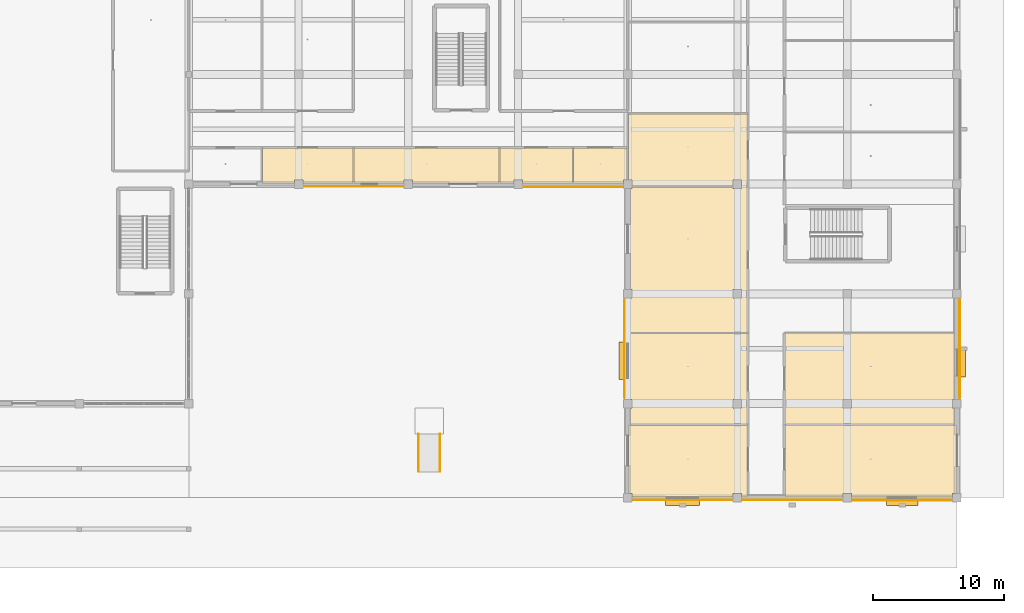
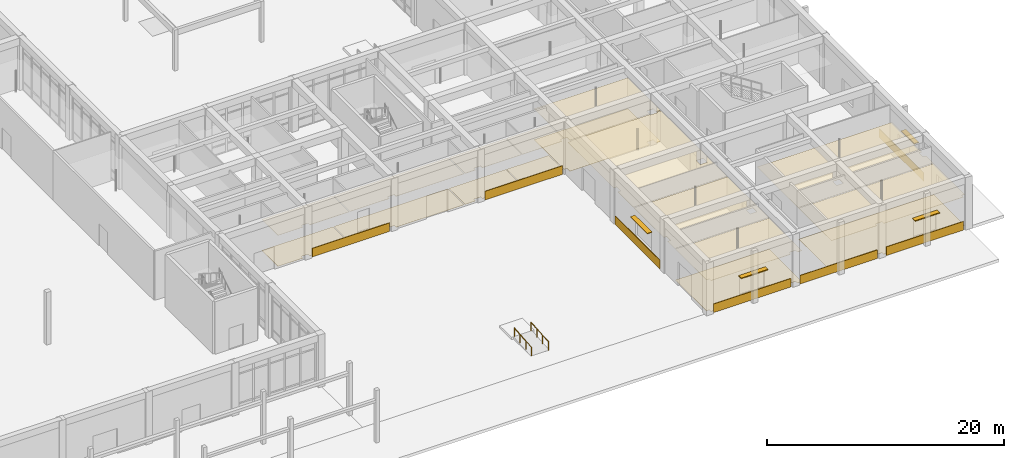
# One storey, part 159 of 167: 24 coverings, 4 shading devices, 2 railings.
"""IFC4 building model written with IfcOpenShell, lengths in metres."""

from ifc_helpers import new_model, si_unit, direction, frame, origin, origin_2d, place, context, subcontext, project, spatial, polyline, rectangle, circle, outline, extrude, material, layer, layer_set, type_object, element, save


model = new_model("IFC4")

# Units and contexts
model_context = context("Model", 3, precision=1e-05, world=origin(), true_north=direction((0.0, 1.0)))
body_context = subcontext(model_context, "Body", "Model", "MODEL_VIEW")
ifc_project = project(units=[si_unit("LENGTHUNIT", "METRE"), si_unit("AREAUNIT", "SQUARE_METRE"), si_unit("VOLUMEUNIT", "CUBIC_METRE"), si_unit("PLANEANGLEUNIT", "RADIAN"), si_unit("MASSUNIT", "GRAM", prefix="KILO")], contexts=[model_context])

# Site, building, storey
site_placement = place(None, origin())
site = spatial("IfcSite", under=ifc_project, at=site_placement, CompositionType="ELEMENT")
building_placement = place(site_placement, origin())
building = spatial("IfcBuilding", under=site, at=building_placement, Name="Varncliffe General Hospital", CompositionType="ELEMENT")
storey_placement = place(building_placement, origin())
storey = spatial("IfcBuildingStorey", under=building, at=storey_placement, Name="L00", CompositionType="ELEMENT", Elevation=0.0)

# Coverings
ifc_material_1 = material(Name="Hygienic antimicrobial acoustic suspended ceiling tile", Category="gypsum")
ifc_layer_1 = layer(ifc_material_1, 0.02490234375)
ifc_layer_set_1 = layer_set([ifc_layer_1], Name="Hygienic antimicrobial acoustic suspended ceiling tile")
covering_type_1 = type_object("IfcCoveringType", Name="Antimicrobial Acoustic Suspended Ceiling CLG44", PredefinedType="CEILING", material=ifc_layer_set_1)
covering_1_placement = place(storey_placement, frame((0.0, 0.0, 3.175048828125)))
element("IfcCovering", 1, at=covering_1_placement, inside=storey, type_object=covering_type_1, Name="L00 Outpatient Consultation and Exam Clinic 88 Suspended Ceiling", PredefinedType="CEILING", context=body_context, shape_type="SweptSolid", body=[
    extrude(outline(polyline([(160.360107421875, 5.56005859375), (160.360107421875, 0.0400390625), (159.925048828125, 0.0400390625), (159.925048828125, 0.324951171875), (159.27490234375, 0.324951171875), (159.27490234375, 0.0400390625), (151.52490234375, 0.0400390625), (151.52490234375, 0.324951171875), (151.239990234375, 0.324951171875), (151.239990234375, 5.56005859375), (160.360107421875, 5.56005859375)])), origin(), (0.0, 0.0, 1.0), 0.02490234375),
])
covering_2_placement = place(storey_placement, frame((0.0, 0.0, 3.175048828125)))
element("IfcCovering", 2, at=covering_2_placement, inside=storey, type_object=covering_type_1, Name="L00 Orthopaedic Fracture Cast Clinic 89 Suspended Ceiling", PredefinedType="CEILING", context=body_context, shape_type="SweptSolid", body=[
    extrude(outline(polyline([(151.239990234375, 12.56005859375), (160.360107421875, 12.56005859375), (160.360107421875, 5.639892578125), (151.239990234375, 5.639892578125), (151.239990234375, 6.875), (151.52490234375, 6.875), (151.52490234375, 7.52490234375), (151.239990234375, 7.52490234375), (151.239990234375, 12.56005859375)]), holes=[polyline([(159.925048828125, 6.875), (159.925048828125, 7.52490234375), (159.27490234375, 7.52490234375), (159.27490234375, 6.875), (159.925048828125, 6.875)])]), origin(), (0.0, 0.0, 1.0), 0.02490234375),
])
covering_3_placement = place(storey_placement, frame((0.0, 0.0, 3.175048828125)))
element("IfcCovering", 3, at=covering_3_placement, inside=storey, type_object=covering_type_1, Name="L00 Physical Rehabilitation Therapy Gym 90 Suspended Ceiling", PredefinedType="CEILING", context=body_context, shape_type="SweptSolid", body=[
    extrude(outline(polyline([(160.360107421875, 12.639892578125), (151.239990234375, 12.639892578125), (151.239990234375, 15.27490234375), (151.52490234375, 15.27490234375), (151.52490234375, 15.925048828125), (151.239990234375, 15.925048828125), (151.239990234375, 23.675048828125), (151.52490234375, 23.675048828125), (151.52490234375, 23.760009765625), (159.27490234375, 23.760009765625), (159.27490234375, 23.675048828125), (159.925048828125, 23.675048828125), (159.925048828125, 23.760009765625), (160.360107421875, 23.760009765625), (160.360107421875, 12.639892578125)]), holes=[polyline([(159.925048828125, 15.27490234375), (159.925048828125, 15.925048828125), (159.27490234375, 15.925048828125), (159.27490234375, 15.27490234375), (159.925048828125, 15.27490234375)])]), origin(), (0.0, 0.0, 1.0), 0.02490234375),
])
covering_4_placement = place(storey_placement, frame((0.0, 0.0, 3.175048828125)))
element("IfcCovering", 4, at=covering_4_placement, inside=storey, type_object=covering_type_1, Name="L00 Outpatient Consultation and Exam Clinic 91 Suspended Ceiling", PredefinedType="CEILING", context=body_context, shape_type="SweptSolid", body=[
    extrude(outline(polyline([(160.360107421875, 29.360107421875), (160.360107421875, 23.840087890625), (159.925048828125, 23.840087890625), (159.925048828125, 24.324951171875), (159.27490234375, 24.324951171875), (159.27490234375, 23.840087890625), (151.52490234375, 23.840087890625), (151.52490234375, 24.324951171875), (151.239990234375, 24.324951171875), (151.239990234375, 29.360107421875), (160.360107421875, 29.360107421875)])), origin(), (0.0, 0.0, 1.0), 0.02490234375),
])
covering_5_placement = place(storey_placement, frame((0.0, 0.0, 3.175048828125)))
element("IfcCovering", 5, at=covering_5_placement, inside=storey, type_object=covering_type_1, Name="L00 Outpatient Consultation and Exam Clinic 99 Suspended Ceiling", PredefinedType="CEILING", context=body_context, shape_type="SweptSolid", body=[
    extrude(outline(polyline([(163.239990234375, 5.56005859375), (176.360107421875, 5.56005859375), (176.360107421875, 0.324951171875), (176.074951171875, 0.324951171875), (176.074951171875, 0.0400390625), (168.324951171875, 0.0400390625), (168.324951171875, 0.324951171875), (167.675048828125, 0.324951171875), (167.675048828125, 0.0400390625), (163.239990234375, 0.0400390625), (163.239990234375, 5.56005859375)])), origin(), (0.0, 0.0, 1.0), 0.02490234375),
])
covering_6_placement = place(storey_placement, frame((0.0, 0.0, 3.175048828125)))
element("IfcCovering", 6, at=covering_6_placement, inside=storey, type_object=covering_type_1, Name="L00 Orthopaedic Fracture Cast Clinic 100 Suspended Ceiling", PredefinedType="CEILING", context=body_context, shape_type="SweptSolid", body=[
    extrude(outline(polyline([(176.360107421875, 5.639892578125), (163.239990234375, 5.639892578125), (163.239990234375, 12.56005859375), (176.360107421875, 12.56005859375), (176.360107421875, 7.52490234375), (176.074951171875, 7.52490234375), (176.074951171875, 6.875), (176.360107421875, 6.875), (176.360107421875, 5.639892578125)]), holes=[polyline([(168.324951171875, 6.875), (168.324951171875, 7.52490234375), (167.675048828125, 7.52490234375), (167.675048828125, 6.875), (168.324951171875, 6.875)])]), origin(), (0.0, 0.0, 1.0), 0.02490234375),
])
covering_7_placement = place(storey_placement, frame((0.0, 0.0, 3.175048828125)))
element("IfcCovering", 7, at=covering_7_placement, inside=storey, type_object=covering_type_1, Name="L00 Orthopaedic Fracture Cast Clinic 110 Suspended Ceiling", PredefinedType="CEILING", context=body_context, shape_type="SweptSolid", body=[
    extrude(outline(polyline([(123.239990234375, 24.0400390625), (123.239990234375, 26.760009765625), (130.159912109375, 26.760009765625), (130.159912109375, 24.0400390625), (126.324951171875, 24.0400390625), (126.324951171875, 24.324951171875), (125.675048828125, 24.324951171875), (125.675048828125, 24.0400390625), (123.239990234375, 24.0400390625)])), origin(), (0.0, 0.0, 1.0), 0.02490234375),
])
covering_8_placement = place(storey_placement, frame((0.0, 0.0, 3.175048828125)))
element("IfcCovering", 8, at=covering_8_placement, inside=storey, type_object=covering_type_1, Name="L00 Physical Rehabilitation Therapy Gym 111 Suspended Ceiling", PredefinedType="CEILING", context=body_context, shape_type="SweptSolid", body=[
    extrude(outline(polyline([(130.239990234375, 24.0400390625), (130.239990234375, 26.760009765625), (141.360107421875, 26.760009765625), (141.360107421875, 24.0400390625), (134.72509765625, 24.0400390625), (134.72509765625, 24.324951171875), (134.074951171875, 24.324951171875), (134.074951171875, 24.0400390625), (130.239990234375, 24.0400390625)])), origin(), (0.0, 0.0, 1.0), 0.02490234375),
])
covering_9_placement = place(storey_placement, frame((0.0, 0.0, 3.175048828125)))
element("IfcCovering", 9, at=covering_9_placement, inside=storey, type_object=covering_type_1, Name="L00 Outpatient Consultation and Exam Clinic 112 Suspended Ceiling", PredefinedType="CEILING", context=body_context, shape_type="SweptSolid", body=[
    extrude(outline(polyline([(141.43994140625, 24.0400390625), (141.43994140625, 26.760009765625), (146.9599609375, 26.760009765625), (146.9599609375, 24.0400390625), (143.125, 24.0400390625), (143.125, 24.324951171875), (142.47509765625, 24.324951171875), (142.47509765625, 24.0400390625), (141.43994140625, 24.0400390625)])), origin(), (0.0, 0.0, 1.0), 0.02490234375),
])
covering_10_placement = place(storey_placement, frame((0.0, 0.0, 3.175048828125)))
element("IfcCovering", 10, at=covering_10_placement, inside=storey, type_object=covering_type_1, Name="L00 Orthopaedic Fracture Cast Clinic 113 Suspended Ceiling", PredefinedType="CEILING", context=body_context, shape_type="SweptSolid", body=[
    extrude(outline(polyline([(147.0400390625, 24.0400390625), (147.0400390625, 26.760009765625), (151.159912109375, 26.760009765625), (151.159912109375, 24.324951171875), (150.875, 24.324951171875), (150.875, 24.0400390625), (147.0400390625, 24.0400390625)])), origin(), (0.0, 0.0, 1.0), 0.02490234375),
])

# Shading devices
ifc_material_2 = material(Name="Dark bronze extruded aluminium solar jalousie louvres", Category="aluminium")
ifc_layer_2 = layer(ifc_material_2, 0.080078125)
ifc_layer_set_2 = layer_set([ifc_layer_2], Name="Dark bronze extruded aluminium solar jalousie louvres")
shading_device_type = type_object("IfcShadingDeviceType", Name="Bronze Solar Jalousie Louvre Hood SHD18", PredefinedType="JALOUSIE", material=ifc_layer_set_2)
shading_device_1_placement = place(storey_placement, frame((176.81494140625, 10.33203125, 2.85986328125), z_axis=(0.0, 0.0, 1.0), x_axis=(0.0, -1.0, 0.0)))
element("IfcShadingDevice", 11, at=shading_device_1_placement, inside=storey, type_object=shading_device_type, Name="L00 Bronze Window Sun-Shading Louvre 7", PredefinedType="JALOUSIE", context=body_context, shape_type="SweptSolid", body=[
    extrude(rectangle(XDim=2.199951171875, YDim=0.449951171875, at=origin_2d()), origin(), (0.0, 0.0, 1.0), 0.080078125),
])
shading_device_2_placement = place(storey_placement, frame((172.199951171875, -0.389892578125, 2.85986328125), z_axis=(0.0, 0.0, 1.0), x_axis=(-1.0, 0.0, 0.0)))
element("IfcShadingDevice", 12, at=shading_device_2_placement, inside=storey, type_object=shading_device_type, Name="L00 Bronze Window Sun-Shading Louvre 8", PredefinedType="JALOUSIE", context=body_context, shape_type="SweptSolid", body=[
    extrude(rectangle(XDim=2.39990234375, YDim=0.449951171875, at=origin_2d()), origin(), (0.0, 0.0, 1.0), 0.080078125),
])
shading_device_3_placement = place(storey_placement, frame((155.39990234375, -0.3701171875, 2.85986328125), z_axis=(0.0, 0.0, 1.0), x_axis=(-1.0, 0.0, 0.0)))
element("IfcShadingDevice", 13, at=shading_device_3_placement, inside=storey, type_object=shading_device_type, Name="L00 Bronze Window Sun-Shading Louvre 9", PredefinedType="JALOUSIE", context=body_context, shape_type="SweptSolid", body=[
    extrude(rectangle(XDim=2.60009765625, YDim=0.449951171875, at=origin_2d()), origin(), (0.0, 0.0, 1.0), 0.080078125),
])
shading_device_4_placement = place(storey_placement, frame((150.75, 10.47509765625, 2.85986328125), z_axis=(0.0, 0.0, 1.0), x_axis=(0.0, 1.0, 0.0)))
element("IfcShadingDevice", 14, at=shading_device_4_placement, inside=storey, type_object=shading_device_type, Name="L00 Bronze Window Sun-Shading Louvre 10", PredefinedType="JALOUSIE", context=body_context, shape_type="SweptSolid", body=[
    extrude(rectangle(XDim=2.85009765625, YDim=0.449951171875, at=origin_2d()), origin(), (0.0, 0.0, 1.0), 0.080078125),
])

# Coverings
ifc_material_3 = material(Name="Credit Valley buff limestone ashlar cladding", Category="masonry")
ifc_layer_3 = layer(ifc_material_3, 0.050048828125)
ifc_layer_set_3 = layer_set([ifc_layer_3], Name="Credit Valley buff limestone ashlar cladding")
covering_type_2 = type_object("IfcCoveringType", Name="Credit Valley Limestone Ashlar Plinth Cladding CLD17", PredefinedType="CLADDING", material=ifc_layer_set_3)
for number, where, z_axis, x_axis, name in (
    (15, (176.614990234375, 11.39990234375, 0.010009765625), (0.0, 0.0, 1.0), (0.0, -1.0, 0.0), "L00 Limestone Base Cladding 33"),
    (16, (172.199951171875, -0.18994140625, 0.010009765625), (0.0, 0.0, 1.0), (-1.0, 0.0, 0.0), "L00 Limestone Base Cladding 34"),
    (17, (163.800048828125, -0.179931640625, 0.010009765625), (0.0, 0.0, 1.0), (-1.0, 0.0, 0.0), "L00 Limestone Base Cladding 35"),
    (18, (155.39990234375, -0.169921875, 0.010009765625), (0.0, 0.0, 1.0), (-1.0, 0.0, 0.0), "L00 Limestone Base Cladding 36"),
    (19, (150.949951171875, 11.39990234375, 0.010009765625), (0.0, 0.0, 1.0), (0.0, 1.0, 0.0), "L00 Limestone Base Cladding 37"),
    (20, (147.0, 23.784912109375, 0.010009765625), (0.0, 0.0, 1.0), (-1.0, 0.0, 0.0), "L00 Limestone Base Cladding 38"),
    (21, (130.199951171875, 23.81005859375, 0.010009765625), (0.0, 0.0, 1.0), (-1.0, 0.0, 0.0), "L00 Limestone Base Cladding 39"),
):
    element("IfcCovering", number, at=place(storey_placement, frame(where, z_axis=z_axis, x_axis=x_axis)), inside=storey, type_object=covering_type_2, Name=name, PredefinedType="CLADDING", context=body_context, shape_type="SweptSolid", body=[
        extrude(rectangle(XDim=7.513916015625, YDim=0.050048828125, at=origin_2d()), origin(), (0.0, 0.0, 1.0), 0.8798828125),
    ])
ifc_material_4 = material(Name="Seamless welded hospital sheet linoleum and terrazzo flooring", Category="linoleum")
ifc_layer_4 = layer(ifc_material_4, 0.011962890625)
ifc_layer_set_4 = layer_set([ifc_layer_4], Name="Seamless welded hospital sheet linoleum and terrazzo flooring")
covering_type_3 = type_object("IfcCoveringType", Name="Seamless Hospital Linoleum Flooring FLR19", PredefinedType="FLOORING", material=ifc_layer_set_4)
covering_11_placement = place(storey_placement, origin())
element("IfcCovering", 22, at=covering_11_placement, inside=storey, type_object=covering_type_3, Name="L00 Outpatient Consultation and Exam Clinic 88 Seamless Flooring", PredefinedType="FLOORING", context=body_context, shape_type="SweptSolid", body=[
    extrude(outline(polyline([(160.360107421875, 5.56005859375), (160.360107421875, 0.0400390625), (159.925048828125, 0.0400390625), (159.925048828125, 0.324951171875), (159.27490234375, 0.324951171875), (159.27490234375, 0.0400390625), (151.52490234375, 0.0400390625), (151.52490234375, 0.324951171875), (151.239990234375, 0.324951171875), (151.239990234375, 5.56005859375), (160.360107421875, 5.56005859375)])), origin(), (0.0, 0.0, 1.0), 0.011962890625),
])
covering_12_placement = place(storey_placement, origin())
element("IfcCovering", 23, at=covering_12_placement, inside=storey, type_object=covering_type_3, Name="L00 Outpatient Consultation and Exam Clinic 91 Seamless Flooring", PredefinedType="FLOORING", context=body_context, shape_type="SweptSolid", body=[
    extrude(outline(polyline([(160.360107421875, 29.360107421875), (160.360107421875, 23.840087890625), (159.925048828125, 23.840087890625), (159.925048828125, 24.324951171875), (159.27490234375, 24.324951171875), (159.27490234375, 23.840087890625), (151.52490234375, 23.840087890625), (151.52490234375, 24.324951171875), (151.239990234375, 24.324951171875), (151.239990234375, 29.360107421875), (160.360107421875, 29.360107421875)])), origin(), (0.0, 0.0, 1.0), 0.011962890625),
])
covering_13_placement = place(storey_placement, origin())
element("IfcCovering", 24, at=covering_13_placement, inside=storey, type_object=covering_type_3, Name="L00 Outpatient Consultation and Exam Clinic 99 Seamless Flooring", PredefinedType="FLOORING", context=body_context, shape_type="SweptSolid", body=[
    extrude(outline(polyline([(163.239990234375, 5.56005859375), (176.360107421875, 5.56005859375), (176.360107421875, 0.324951171875), (176.074951171875, 0.324951171875), (176.074951171875, 0.0400390625), (168.324951171875, 0.0400390625), (168.324951171875, 0.324951171875), (167.675048828125, 0.324951171875), (167.675048828125, 0.0400390625), (163.239990234375, 0.0400390625), (163.239990234375, 5.56005859375)])), origin(), (0.0, 0.0, 1.0), 0.011962890625),
])
covering_14_placement = place(storey_placement, origin())
element("IfcCovering", 25, at=covering_14_placement, inside=storey, type_object=covering_type_3, Name="L00 Orthopaedic Fracture Cast Clinic 110 Seamless Flooring", PredefinedType="FLOORING", context=body_context, shape_type="SweptSolid", body=[
    extrude(outline(polyline([(123.239990234375, 24.0400390625), (123.239990234375, 26.760009765625), (130.159912109375, 26.760009765625), (130.159912109375, 24.0400390625), (126.324951171875, 24.0400390625), (126.324951171875, 24.324951171875), (125.675048828125, 24.324951171875), (125.675048828125, 24.0400390625), (123.239990234375, 24.0400390625)])), origin(), (0.0, 0.0, 1.0), 0.011962890625),
])
covering_15_placement = place(storey_placement, origin())
element("IfcCovering", 26, at=covering_15_placement, inside=storey, type_object=covering_type_3, Name="L00 Physical Rehabilitation Therapy Gym 111 Seamless Flooring", PredefinedType="FLOORING", context=body_context, shape_type="SweptSolid", body=[
    extrude(outline(polyline([(130.239990234375, 24.0400390625), (130.239990234375, 26.760009765625), (141.360107421875, 26.760009765625), (141.360107421875, 24.0400390625), (134.72509765625, 24.0400390625), (134.72509765625, 24.324951171875), (134.074951171875, 24.324951171875), (134.074951171875, 24.0400390625), (130.239990234375, 24.0400390625)])), origin(), (0.0, 0.0, 1.0), 0.011962890625),
])
covering_16_placement = place(storey_placement, origin())
element("IfcCovering", 27, at=covering_16_placement, inside=storey, type_object=covering_type_3, Name="L00 Outpatient Consultation and Exam Clinic 112 Seamless Flooring", PredefinedType="FLOORING", context=body_context, shape_type="SweptSolid", body=[
    extrude(outline(polyline([(141.43994140625, 24.0400390625), (141.43994140625, 26.760009765625), (146.9599609375, 26.760009765625), (146.9599609375, 24.0400390625), (143.125, 24.0400390625), (143.125, 24.324951171875), (142.47509765625, 24.324951171875), (142.47509765625, 24.0400390625), (141.43994140625, 24.0400390625)])), origin(), (0.0, 0.0, 1.0), 0.011962890625),
])
covering_17_placement = place(storey_placement, origin())
element("IfcCovering", 28, at=covering_17_placement, inside=storey, type_object=covering_type_3, Name="L00 Orthopaedic Fracture Cast Clinic 113 Seamless Flooring", PredefinedType="FLOORING", context=body_context, shape_type="SweptSolid", body=[
    extrude(outline(polyline([(147.0400390625, 24.0400390625), (147.0400390625, 26.760009765625), (151.159912109375, 26.760009765625), (151.159912109375, 24.324951171875), (150.875, 24.324951171875), (150.875, 24.0400390625), (147.0400390625, 24.0400390625)])), origin(), (0.0, 0.0, 1.0), 0.011962890625),
])

# Railings
ifc_material_5 = material(Name="Powder-coated hospital steel guardrail and handrail", Category="steel")
railing_type = type_object("IfcRailingType", Name="Stair and Ramp Handrail HR46", PredefinedType="HANDRAIL", material=ifc_material_5)
for number, where, name in (
    (29, (135.179931640625, 2.0, 0.0), "South-East Forecourt Barrier-Free Ramp Handrail L"),
    (30, (136.820068359375, 2.0, 0.0), "South-East Forecourt Barrier-Free Ramp Handrail R"),
):
    element("IfcRailing", number, at=place(storey_placement, frame(where)), inside=storey, type_object=railing_type, Name=name, PredefinedType="HANDRAIL", context=body_context, shape_type="SweptSolid", body=[
        extrude(circle(Radius=0.02392578125, at=origin_2d()), frame((0.0, 0.0, 0.8759765625), z_axis=(0.0, 0.996545758245, 0.083045479854), x_axis=(-1.0, 0.0, 0.0)), (0.0, 0.0, 1.0), 2.889892578125),
        extrude(circle(Radius=0.02099609375, at=origin_2d()), origin(), (0.0, 0.0, 1.0), 0.851806640625),
        extrude(circle(Radius=0.02099609375, at=origin_2d()), frame((0.0, 0.9599609375, 0.080078125)), (0.0, 0.0, 1.0), 0.851806640625),
        extrude(circle(Radius=0.02099609375, at=origin_2d()), frame((0.0, 1.919921875, 0.159912109375)), (0.0, 0.0, 1.0), 0.851806640625),
        extrude(circle(Radius=0.02099609375, at=origin_2d()), frame((0.0, 2.8798828125, 0.239990234375)), (0.0, 0.0, 1.0), 0.851806640625),
    ])

save(model, "model.ifc")
